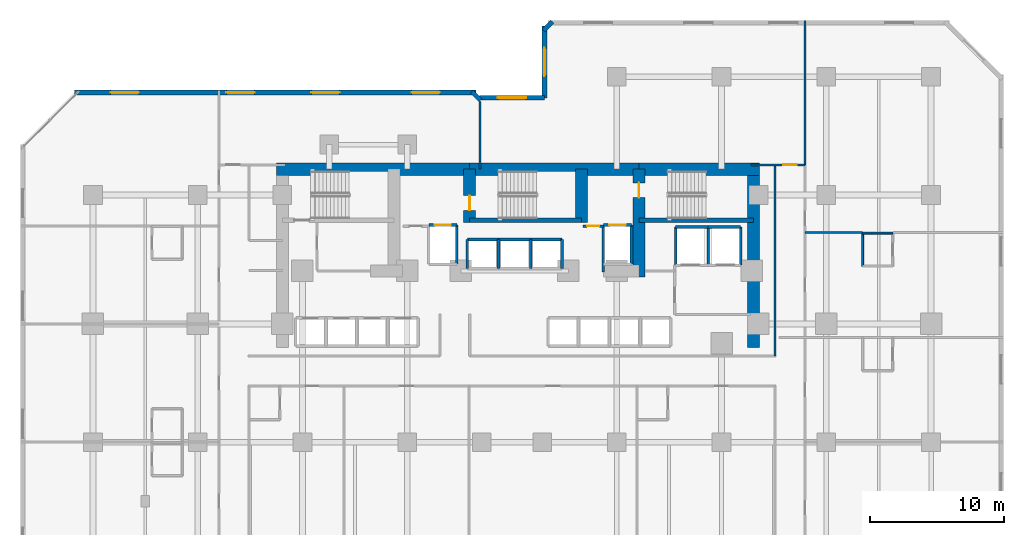
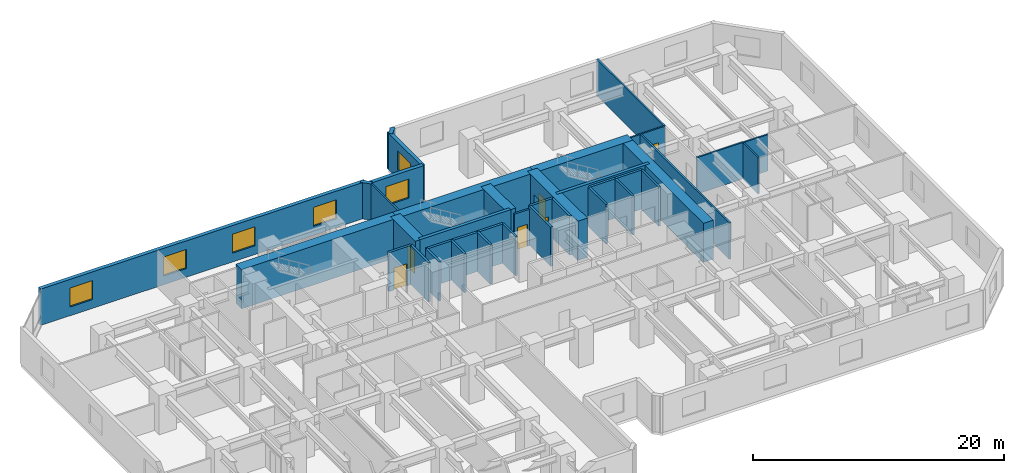
# One storey, part 8 of 11: 39 walls, 6 doors, 6 windows, 12 openings.
"""IFC4 building model written with IfcOpenShell, lengths in metres."""

import ifcopenshell
import ifcopenshell.guid

model = None  # the IFC model being written
_history = None  # IfcOwnerHistory: only IFC2X3 demands one
_inside = {}  # id of a spatial element -> (the spatial element, [elements in it])
_under = {}  # id of a project, library or spatial element -> (it, [spatial elements below it])
_declared = {}  # id of a project -> (the project, [libraries it declares])
_typed = {}  # id of a type object -> (the type object, [elements of that type])
_made_of = {}  # id of a material, layer set ... -> (it, [elements and type objects made of it])


def new_model(schema):
    """Start an empty IFC model of exactly this schema.

    Asked for "IFC4X3", IfcOpenShell would pick the latest addendum, in which some entities
    have other attributes; the version numbers below select the first issue.
    IFC2X3 requires an IfcOwnerHistory on every rooted entity: one is made here for all.
    """
    global model, _history
    if schema == "IFC4X3":
        model = ifcopenshell.file(schema_version=(4, 3, 0, 0))
    else:
        model = ifcopenshell.file(schema=schema)
    _inside.clear()
    _under.clear()
    _declared.clear()
    _typed.clear()
    _made_of.clear()
    _history = None
    if model.schema == "IFC2X3":
        org = make("IfcOrganization", Name="unknown")
        user = make(
            "IfcPersonAndOrganization",
            ThePerson=make("IfcPerson", FamilyName="unknown"),
            TheOrganization=org,
        )
        app = make(
            "IfcApplication",
            ApplicationDeveloper=org,
            Version="unknown",
            ApplicationFullName="unknown",
            ApplicationIdentifier="unknown",
        )
        _history = make(
            "IfcOwnerHistory",
            OwningUser=user,
            OwningApplication=app,
            ChangeAction="ADDED",
            CreationDate=0,
        )
    return model


def make(cls, **values):
    """One entity of the class cls with the attributes given. An attribute that is None is left unset."""
    return model.create_entity(
        cls, **{name: value for name, value in values.items() if value is not None}
    )


def rooted(cls, **values):
    """An entity with a GlobalId (a new one), such as an element, a storey or a relation."""
    return make(cls, GlobalId=ifcopenshell.guid.new(), OwnerHistory=_history, **values)


def si_unit(unit_type, name, prefix=None):
    """IfcSIUnit, for example si_unit("LENGTHUNIT", "METRE", prefix="MILLI")."""
    return make("IfcSIUnit", UnitType=unit_type, Prefix=prefix, Name=name)


def assignment(units):
    """IfcUnitAssignment: the units of a project."""
    return None if units is None else make("IfcUnitAssignment", Units=units)


def point(xyz):
    """IfcCartesianPoint."""
    return None if xyz is None else make("IfcCartesianPoint", Coordinates=xyz)


def direction(xyz):
    """IfcDirection."""
    return None if xyz is None else make("IfcDirection", DirectionRatios=xyz)


def frame(location, z_axis=None, x_axis=None):
    """IfcAxis2Placement3D, a coordinate frame: its origin and axes. An axis left out is left unset."""
    return make(
        "IfcAxis2Placement3D",
        Location=point(location),
        Axis=direction(z_axis),
        RefDirection=direction(x_axis),
    )


def frame_2d(location, x_axis=None):
    """IfcAxis2Placement2D, a coordinate frame in the plane: its origin and x axis."""
    return make(
        "IfcAxis2Placement2D", Location=point(location), RefDirection=direction(x_axis)
    )


def origin():
    """The frame at (0, 0, 0) with its axes left unset."""
    return frame((0.0, 0.0, 0.0))


def place(relative_to, where):
    """IfcLocalPlacement: puts the frame where relative to a parent placement (None: the world)."""
    return make(
        "IfcLocalPlacement", PlacementRelTo=relative_to, RelativePlacement=where
    )


def context(
    kind, dimensions, precision=None, world=None, true_north=None, identifier=None
):
    """IfcGeometricRepresentationContext, for example the 3D "Model" context."""
    return make(
        "IfcGeometricRepresentationContext",
        ContextIdentifier=identifier,
        ContextType=kind,
        CoordinateSpaceDimension=dimensions,
        Precision=precision,
        WorldCoordinateSystem=world,
        TrueNorth=true_north,
    )


def subcontext(parent, identifier, kind, view, scale=None):
    """IfcGeometricRepresentationSubContext, for example "Body" below "Model"."""
    return make(
        "IfcGeometricRepresentationSubContext",
        ContextIdentifier=identifier,
        ContextType=kind,
        ParentContext=parent,
        TargetScale=scale,
        TargetView=view,
    )


def project(units=None, contexts=None):
    """IfcProject with its units and contexts."""
    return rooted(
        "IfcProject",
        Name="project",
        RepresentationContexts=contexts,
        UnitsInContext=assignment(units),
    )


def spatial(cls, under=None, at=None, **own):
    """A site, building, storey or space (cls), placed at a placement, below another one or the project."""
    s = rooted(cls, ObjectPlacement=at, **own)
    if under is not None:
        _under.setdefault(under.id(), (under, []))[1].append(s)
    return s


def profile(cls, at=None, kind="AREA", **sizes):
    """A parametric profile (cls). Its sizes go by their IFC names, for example OverallWidth=200.0."""
    return make(cls, ProfileType=kind, Position=at, **sizes)


def rectangle(**sizes):
    """IfcRectangleProfileDef."""
    return profile("IfcRectangleProfileDef", **sizes)


def extrude(swept, where, along, depth):
    """IfcExtrudedAreaSolid: the profile swept, set in the frame where, extruded along a direction by depth."""
    return make(
        "IfcExtrudedAreaSolid",
        SweptArea=swept,
        Position=where,
        ExtrudedDirection=direction(along),
        Depth=depth,
    )


def shape(context_of_items, identifier, shape_type, items):
    """IfcShapeRepresentation: the items that make up one representation, for example the "Body"."""
    return make(
        "IfcShapeRepresentation",
        ContextOfItems=context_of_items,
        RepresentationIdentifier=identifier,
        RepresentationType=shape_type,
        Items=items,
    )


def material(Name=None, Category=None):
    """IfcMaterial."""
    return make("IfcMaterial", Name=Name, Category=Category)


def layer(
    of_material, thickness, ventilated=None, Name=None, Category=None, Priority=None
):
    """IfcMaterialLayer: one layer of a wall or slab, of a material (None: an air gap)."""
    return make(
        "IfcMaterialLayer",
        Material=of_material,
        LayerThickness=thickness,
        IsVentilated=ventilated,
        Name=Name,
        Category=Category,
        Priority=Priority,
    )


def layer_set(layers, Name=None):
    """IfcMaterialLayerSet."""
    return make("IfcMaterialLayerSet", MaterialLayers=layers, LayerSetName=Name)


def made_of(thing, what):
    """Note that an element or type object is made of a material, layer set ...; save() writes the relation."""
    if what is not None:
        _made_of.setdefault(what.id(), (what, []))[1].append(thing)
    return thing


def type_object(cls, material=None, **own):
    """A type object (cls), such as IfcWallType, which elements share."""
    return made_of(rooted(cls, **own), material)


def element(
    cls,
    number,
    at=None,
    inside=None,
    cuts=None,
    type_object=None,
    material=None,
    context=None,
    identifier="Body",
    shape_type=None,
    held_by="IfcProductDefinitionShape",
    body=None,
    shapes=None,
    **own,
):
    """One element of the class cls, such as IfcWall. Its Tag is "e" and its number.

    at: its placement. inside: the storey or other place that contains it. cuts: it is an
    opening in that element (IfcRelVoidsElement). A single representation is given by context,
    identifier, shape_type and body (its items); several are given by shapes. held_by: the class
    of the entity that holds the representations. save() writes the other relations.
    """
    e = rooted(cls, Tag="e%d" % number, ObjectPlacement=at, **own)
    if body is not None:
        shapes = [shape(context, identifier, shape_type, body)]
    if shapes is not None:
        e.Representation = make(held_by, Representations=shapes)
    if inside is not None:
        _inside.setdefault(inside.id(), (inside, []))[1].append(e)
    if cuts is not None:
        rooted(
            "IfcRelVoidsElement", RelatingBuildingElement=cuts, RelatedOpeningElement=e
        )
    if type_object is not None:
        _typed.setdefault(type_object.id(), (type_object, []))[1].append(e)
    return made_of(e, material)


def fill(opening, filler):
    """IfcRelFillsElement: the door or window that sits in an opening."""
    return rooted(
        "IfcRelFillsElement",
        RelatingOpeningElement=opening,
        RelatedBuildingElement=filler,
    )


def aggregate(whole, parts):
    """IfcRelAggregates: a whole, such as a stair, and the parts it consists of."""
    return rooted("IfcRelAggregates", RelatingObject=whole, RelatedObjects=parts)


def save(model, path):
    """Write the relations noted so far, then the file.

    IfcRelAggregates (storeys below a building ...), IfcRelContainedInSpatialStructure (elements
    in a storey), IfcRelDefinesByType, IfcRelAssociatesMaterial and IfcRelDeclares: one each for
    every whole, place, type object, material and project.
    """
    for whole, parts in _under.values():
        aggregate(whole, parts)
    for where, things in _inside.values():
        rooted(
            "IfcRelContainedInSpatialStructure",
            RelatedElements=things,
            RelatingStructure=where,
        )
    for kind, things in _typed.values():
        rooted("IfcRelDefinesByType", RelatedObjects=things, RelatingType=kind)
    for what, things in _made_of.values():
        rooted("IfcRelAssociatesMaterial", RelatedObjects=things, RelatingMaterial=what)
    for by, libraries in _declared.values():
        rooted("IfcRelDeclares", RelatingContext=by, RelatedDefinitions=libraries)
    model.write(path)


model = new_model("IFC4")

# Units and contexts
model_context = context("Model", 3, precision=1e-05, world=origin(), true_north=direction((0.0, 1.0)))
body_context = subcontext(model_context, "Body", "Model", "MODEL_VIEW")
ifc_project = project(units=[si_unit("LENGTHUNIT", "METRE"), si_unit("AREAUNIT", "SQUARE_METRE"), si_unit("VOLUMEUNIT", "CUBIC_METRE"), si_unit("PLANEANGLEUNIT", "RADIAN"), si_unit("MASSUNIT", "GRAM", prefix="KILO")], contexts=[model_context])

# Site, building, storey
site_placement = place(None, origin())
site = spatial("IfcSite", under=ifc_project, at=site_placement, CompositionType="ELEMENT")
building_placement = place(site_placement, origin())
building = spatial("IfcBuilding", under=site, at=building_placement, Name="Kestravale Grand Hotel", CompositionType="ELEMENT")
storey_placement = place(building_placement, frame((0.0, 0.0, 29.800048828125)))
storey = spatial("IfcBuildingStorey", under=building, at=storey_placement, Name="L06", CompositionType="ELEMENT", Elevation=29.800048828125)

# Walls
ifc_material_1 = material(Name="Concrete f'c 70 MPa", Category="concrete")
ifc_layer_1 = layer(ifc_material_1, 0.89990234375)
ifc_layer_set_1 = layer_set([ifc_layer_1], Name="EW-CORE-900")
wall_type_1 = type_object("IfcWallType", Name="EW-CORE-900", PredefinedType="SHEAR", material=ifc_layer_set_1)
wall_1_placement = place(storey_placement, frame((21.449951171875, 40.320068359375, 0.0), z_axis=(0.0, 0.0, 1.0), x_axis=(1.0, 0.0, 0.0)))
element("IfcWall", 1, at=wall_1_placement, inside=storey, type_object=wall_type_1, Name="L06 core shear wall N1", PredefinedType="SHEAR", context=body_context, shape_type="SweptSolid", body=[
    extrude(rectangle(XDim=14.400146484375, YDim=0.89990234375, at=frame_2d((7.2001953125, 0.0))), origin(), (0.0, 0.0, 1.0), 3.800048828125),
])
wall_2_placement = place(storey_placement, frame((35.85009765625, 40.320068359375, 0.0), z_axis=(0.0, 0.0, 1.0), x_axis=(1.0, 0.0, 0.0)))
element("IfcWall", 2, at=wall_2_placement, inside=storey, type_object=wall_type_1, Name="L06 core shear wall N2", PredefinedType="SHEAR", context=body_context, shape_type="SweptSolid", body=[
    extrude(rectangle(XDim=12.599853515625, YDim=0.89990234375, at=frame_2d((6.2998046875, 0.0))), origin(), (0.0, 0.0, 1.0), 3.800048828125),
])
wall_3_placement = place(storey_placement, frame((48.449951171875, 40.320068359375, 0.0), z_axis=(0.0, 0.0, 1.0), x_axis=(1.0, 0.0, 0.0)))
element("IfcWall", 3, at=wall_3_placement, inside=storey, type_object=wall_type_1, Name="L06 core shear wall N3", PredefinedType="SHEAR", context=body_context, shape_type="SweptSolid", body=[
    extrude(rectangle(XDim=8.969970703125, YDim=0.89990234375, at=frame_2d((4.48486328125, 0.0))), origin(), (0.0, 0.0, 1.0), 3.800048828125),
])
wall_4_placement = place(storey_placement, frame((56.969970703125, 27.050048828125, 0.0), z_axis=(0.0, 0.0, 1.0), x_axis=(0.0, 1.0, 0.0)))
element("IfcWall", 4, at=wall_4_placement, inside=storey, type_object=wall_type_1, Name="L06 core shear wall E1", PredefinedType="SHEAR", context=body_context, shape_type="SweptSolid", body=[
    extrude(rectangle(XDim=13.719970703125, YDim=0.89990234375, at=frame_2d((6.85986328125, 0.0))), origin(), (0.0, 0.0, 1.0), 3.800048828125),
])

# Wall, opening, door
wall_5_placement = place(storey_placement, frame((35.85009765625, 36.3701171875, 0.0), z_axis=(0.0, 0.0, 1.0), x_axis=(0.0, 1.0, 0.0)))
wall_5 = element("IfcWall", 5, at=wall_5_placement, inside=storey, type_object=wall_type_1, Name="L06 core shear wall X2", PredefinedType="SHEAR", context=body_context, shape_type="SweptSolid", body=[
    extrude(rectangle(XDim=3.949951171875, YDim=0.89990234375, at=frame_2d((1.97509765625, 0.0))), origin(), (0.0, 0.0, 1.0), 3.800048828125),
])
opening_1_placement = place(wall_5_placement, frame((0.8798828125, 0.0, 0.0)))
opening_1 = element("IfcOpeningElement", 6, at=opening_1_placement, cuts=wall_5, Name="Opening D-ST-1100", PredefinedType="OPENING", context=body_context, shape_type="SweptSolid", body=[
    extrude(rectangle(XDim=1.10009765625, YDim=2.14990234375, at=frame_2d((0.550048828125, 1.074951171875))), frame((0.0, 0.4599609375, 0.0), z_axis=(0.0, -1.0, 0.0), x_axis=(1.0, 0.0, 0.0)), (0.0, 0.0, 1.0), 0.919921875),
])
ifc_material_2 = material(Name="Galvanised 90-minute fire-rated steel stair door", Category="steel")
door_type_1 = type_object("IfcDoorType", Name="D-ST-1100", OperationType="NOTDEFINED", PredefinedType="DOOR", material=ifc_material_2)
door_1_placement = place(opening_1_placement, origin())
door_1 = element("IfcDoor", 7, at=door_1_placement, inside=storey, type_object=door_type_1, Name="L06 Stair ST-2 FSAE fire door", OperationType="SINGLE_SWING_RIGHT", OverallHeight=2.14990234375, OverallWidth=1.10009765625, PredefinedType="DOOR", context=body_context, shape_type="SweptSolid", body=[
    extrude(rectangle(XDim=1.10009765625, YDim=2.14990234375, at=frame_2d((0.550048828125, 1.074951171875))), frame((0.0, 0.02490234375, 0.0), z_axis=(0.0, -1.0, 0.0), x_axis=(1.0, 0.0, 0.0)), (0.0, 0.0, 1.0), 0.050048828125),
])
fill(opening_1, door_1)

# Wall
wall_6_placement = place(storey_placement, frame((44.179931640625, 36.3701171875, 0.0), z_axis=(0.0, 0.0, 1.0), x_axis=(0.0, 1.0, 0.0)))
element("IfcWall", 8, at=wall_6_placement, inside=storey, type_object=wall_type_1, Name="L06 core shear wall X3", PredefinedType="SHEAR", context=body_context, shape_type="SweptSolid", body=[
    extrude(rectangle(XDim=3.949951171875, YDim=0.89990234375, at=frame_2d((1.97509765625, 0.0))), origin(), (0.0, 0.0, 1.0), 3.800048828125),
])

# Wall, opening, door
wall_7_placement = place(storey_placement, frame((48.449951171875, 32.300048828125, 0.0), z_axis=(0.0, 0.0, 1.0), x_axis=(0.0, 1.0, 0.0)))
wall_7 = element("IfcWall", 9, at=wall_7_placement, inside=storey, type_object=wall_type_1, Name="L06 core shear wall X4", PredefinedType="SHEAR", context=body_context, shape_type="SweptSolid", body=[
    extrude(rectangle(XDim=8.02001953125, YDim=0.89990234375, at=frame_2d((4.010009765625, 0.0))), origin(), (0.0, 0.0, 1.0), 3.800048828125),
])
opening_2_placement = place(wall_7_placement, frame((5.89990234375, 0.0, 0.0)))
opening_2 = element("IfcOpeningElement", 10, at=opening_2_placement, cuts=wall_7, Name="Opening D-ST-1100", PredefinedType="OPENING", context=body_context, shape_type="SweptSolid", body=[
    extrude(rectangle(XDim=1.10009765625, YDim=2.14990234375, at=frame_2d((0.550048828125, 1.074951171875))), frame((0.0, 0.4599609375, 0.0), z_axis=(0.0, -1.0, 0.0), x_axis=(1.0, 0.0, 0.0)), (0.0, 0.0, 1.0), 0.919921875),
])
door_2_placement = place(opening_2_placement, origin())
door_2 = element("IfcDoor", 11, at=door_2_placement, inside=storey, type_object=door_type_1, Name="L06 Stair ST-3 FSAE fire door", OperationType="SINGLE_SWING_RIGHT", OverallHeight=2.14990234375, OverallWidth=1.10009765625, PredefinedType="DOOR", context=body_context, shape_type="SweptSolid", body=[
    extrude(rectangle(XDim=1.10009765625, YDim=2.14990234375, at=frame_2d((0.550048828125, 1.074951171875))), frame((0.0, 0.02490234375, 0.0), z_axis=(0.0, -1.0, 0.0), x_axis=(1.0, 0.0, 0.0)), (0.0, 0.0, 1.0), 0.050048828125),
])
fill(opening_2, door_2)

# Wall
ifc_material_3 = material(Name="Precast concrete f'c 45 MPa", Category="concrete")
ifc_layer_2 = layer(ifc_material_3, 0.340087890625)
ifc_layer_set_2 = layer_set([ifc_layer_2], Name="EW-PREC-340")
wall_type_2 = type_object("IfcWallType", Name="EW-PREC-340", PredefinedType="SOLIDWALL", material=ifc_layer_set_2)
wall_8_placement = place(storey_placement, frame((41.99853515625, 51.30810546875, 0.0), z_axis=(0.0, 0.0, 1.0), x_axis=(-0.707238225886, -0.706975312048, 0.0)))
element("IfcWall", 12, at=wall_8_placement, inside=storey, type_object=wall_type_2, Name="L06 fluted precast facade wall 12", PredefinedType="SOLIDWALL", context=body_context, shape_type="SweptSolid", body=[
    extrude(rectangle(XDim=0.9287109375, YDim=0.340087890625, at=frame_2d((0.46435546875, 0.0))), origin(), (0.0, 0.0, 1.0), 3.5400390625),
])

# Wall, opening, window
wall_9_placement = place(storey_placement, frame((41.419921875, 50.969970703125, 0.0), z_axis=(0.0, 0.0, 1.0), x_axis=(0.0, -1.0, 0.0)))
wall_9 = element("IfcWall", 13, at=wall_9_placement, inside=storey, type_object=wall_type_2, Name="L06 fluted precast facade wall 13", PredefinedType="SOLIDWALL", context=body_context, shape_type="SweptSolid", body=[
    extrude(rectangle(XDim=5.340087890625, YDim=0.340087890625, at=frame_2d((2.669921875, 0.0))), origin(), (0.0, 0.0, 1.0), 3.5400390625),
])
opening_3_placement = place(wall_9_placement, frame((1.6201171875, 0.0, 0.85009765625)))
opening_3 = element("IfcOpeningElement", 14, at=opening_3_placement, cuts=wall_9, Name="Opening W-GUEST-2100", PredefinedType="OPENING", context=body_context, shape_type="SweptSolid", body=[
    extrude(rectangle(XDim=2.10009765625, YDim=1.85009765625, at=frame_2d((1.050048828125, 0.925048828125))), frame((0.0, 0.179931640625, 0.0), z_axis=(0.0, -1.0, 0.0), x_axis=(1.0, 0.0, 0.0)), (0.0, 0.0, 1.0), 0.360107421875),
])
ifc_material_4 = material(Name="Insulated low-E double glazing in aluminium frame", Category="aluminium")
window_type = type_object("IfcWindowType", Name="W-GUEST-2100", PartitioningType="DOUBLE_PANEL_VERTICAL", PredefinedType="WINDOW", material=ifc_material_4)
window_1_placement = place(opening_3_placement, origin())
window_1 = element("IfcWindow", 15, at=window_1_placement, inside=storey, type_object=window_type, Name="L06 exterior window 13.1", OverallHeight=1.85009765625, OverallWidth=2.10009765625, PartitioningType="SINGLE_PANEL", PredefinedType="WINDOW", context=body_context, shape_type="SweptSolid", body=[
    extrude(rectangle(XDim=2.10009765625, YDim=1.85009765625, at=frame_2d((1.050048828125, 0.925048828125))), frame((0.0, 0.030029296875, 0.0), z_axis=(0.0, -1.0, 0.0), x_axis=(1.0, 0.0, 0.0)), (0.0, 0.0, 1.0), 0.06005859375),
])
fill(opening_3, window_1)

wall_10_placement = place(storey_placement, frame((41.419921875, 45.6298828125, 0.0), z_axis=(0.0, 0.0, 1.0), x_axis=(-1.0, 0.0, 0.0)))
wall_10 = element("IfcWall", 16, at=wall_10_placement, inside=storey, type_object=wall_type_2, Name="L06 fluted precast facade wall 14", PredefinedType="SOLIDWALL", context=body_context, shape_type="SweptSolid", body=[
    extrude(rectangle(XDim=4.83984375, YDim=0.340087890625, at=frame_2d((2.419921875, 0.0))), origin(), (0.0, 0.0, 1.0), 3.5400390625),
])
opening_4_placement = place(wall_10_placement, frame((1.3701171875, 0.0, 0.85009765625)))
opening_4 = element("IfcOpeningElement", 17, at=opening_4_placement, cuts=wall_10, Name="Opening W-GUEST-2100", PredefinedType="OPENING", context=body_context, shape_type="SweptSolid", body=[
    extrude(rectangle(XDim=2.10009765625, YDim=1.85009765625, at=frame_2d((1.050048828125, 0.925048828125))), frame((0.0, 0.179931640625, 0.0), z_axis=(0.0, -1.0, 0.0), x_axis=(1.0, 0.0, 0.0)), (0.0, 0.0, 1.0), 0.360107421875),
])
window_2_placement = place(opening_4_placement, origin())
window_2 = element("IfcWindow", 18, at=window_2_placement, inside=storey, type_object=window_type, Name="L06 exterior window 14.1", OverallHeight=1.85009765625, OverallWidth=2.10009765625, PartitioningType="SINGLE_PANEL", PredefinedType="WINDOW", context=body_context, shape_type="SweptSolid", body=[
    extrude(rectangle(XDim=2.10009765625, YDim=1.85009765625, at=frame_2d((1.050048828125, 0.925048828125))), frame((0.0, 0.030029296875, 0.0), z_axis=(0.0, -1.0, 0.0), x_axis=(1.0, 0.0, 0.0)), (0.0, 0.0, 1.0), 0.06005859375),
])
fill(opening_4, window_2)

# Wall
wall_11_placement = place(storey_placement, frame((36.658203125, 45.451416015625, 0.0), z_axis=(0.0, 0.0, 1.0), x_axis=(-0.707106781187, 0.707106781187, 0.0)))
element("IfcWall", 19, at=wall_11_placement, inside=storey, type_object=wall_type_2, Name="L06 fluted precast facade wall 16", PredefinedType="SOLIDWALL", context=body_context, shape_type="SweptSolid", body=[
    extrude(rectangle(XDim=0.9287109375, YDim=0.340087890625, at=frame_2d((0.46435546875, 0.0))), origin(), (0.0, 0.0, 1.0), 3.5400390625),
])

# Wall, openings, windows
wall_12_placement = place(storey_placement, frame((36.320068359375, 46.030029296875, 0.0), z_axis=(0.0, 0.0, 1.0), x_axis=(-1.0, 0.0, 0.0)))
wall_12 = element("IfcWall", 20, at=wall_12_placement, inside=storey, type_object=wall_type_2, Name="L06 fluted precast facade wall 17", PredefinedType="SOLIDWALL", context=body_context, shape_type="SweptSolid", body=[
    extrude(rectangle(XDim=29.89013671875, YDim=0.340087890625, at=frame_2d((14.945068359375, 0.0))), origin(), (0.0, 0.0, 1.0), 3.5400390625),
])
opening_5_placement = place(wall_12_placement, frame((2.686279296875, 0.0, 0.85009765625)))
opening_5 = element("IfcOpeningElement", 21, at=opening_5_placement, cuts=wall_12, Name="Opening W-GUEST-2100", PredefinedType="OPENING", context=body_context, shape_type="SweptSolid", body=[
    extrude(rectangle(XDim=2.10009765625, YDim=1.85009765625, at=frame_2d((1.050048828125, 0.925048828125))), frame((0.0, 0.179931640625, 0.0), z_axis=(0.0, -1.0, 0.0), x_axis=(1.0, 0.0, 0.0)), (0.0, 0.0, 1.0), 0.360107421875),
])
opening_6_placement = place(wall_12_placement, frame((10.15869140625, 0.0, 0.85009765625)))
opening_6 = element("IfcOpeningElement", 22, at=opening_6_placement, cuts=wall_12, Name="Opening W-GUEST-2100", PredefinedType="OPENING", context=body_context, shape_type="SweptSolid", body=[
    extrude(rectangle(XDim=2.10009765625, YDim=1.85009765625, at=frame_2d((1.050048828125, 0.925048828125))), frame((0.0, 0.179931640625, 0.0), z_axis=(0.0, -1.0, 0.0), x_axis=(1.0, 0.0, 0.0)), (0.0, 0.0, 1.0), 0.360107421875),
])
opening_7_placement = place(wall_12_placement, frame((16.481201171875, 0.0, 0.85009765625)))
opening_7 = element("IfcOpeningElement", 23, at=opening_7_placement, cuts=wall_12, Name="Opening W-GUEST-2100", PredefinedType="OPENING", context=body_context, shape_type="SweptSolid", body=[
    extrude(rectangle(XDim=2.10009765625, YDim=1.85009765625, at=frame_2d((1.050048828125, 0.925048828125))), frame((0.0, 0.179931640625, 0.0), z_axis=(0.0, -1.0, 0.0), x_axis=(1.0, 0.0, 0.0)), (0.0, 0.0, 1.0), 0.360107421875),
])
opening_8_placement = place(wall_12_placement, frame((25.103759765625, 0.0, 0.85009765625)))
opening_8 = element("IfcOpeningElement", 24, at=opening_8_placement, cuts=wall_12, Name="Opening W-GUEST-2100", PredefinedType="OPENING", context=body_context, shape_type="SweptSolid", body=[
    extrude(rectangle(XDim=2.10009765625, YDim=1.85009765625, at=frame_2d((1.050048828125, 0.925048828125))), frame((0.0, 0.179931640625, 0.0), z_axis=(0.0, -1.0, 0.0), x_axis=(1.0, 0.0, 0.0)), (0.0, 0.0, 1.0), 0.360107421875),
])
window_3_placement = place(opening_5_placement, origin())
window_3 = element("IfcWindow", 25, at=window_3_placement, inside=storey, type_object=window_type, Name="L06 exterior window 17.1", OverallHeight=1.85009765625, OverallWidth=2.10009765625, PartitioningType="SINGLE_PANEL", PredefinedType="WINDOW", context=body_context, shape_type="SweptSolid", body=[
    extrude(rectangle(XDim=2.10009765625, YDim=1.85009765625, at=frame_2d((1.050048828125, 0.925048828125))), frame((0.0, 0.030029296875, 0.0), z_axis=(0.0, -1.0, 0.0), x_axis=(1.0, 0.0, 0.0)), (0.0, 0.0, 1.0), 0.06005859375),
])
fill(opening_5, window_3)
window_4_placement = place(opening_6_placement, origin())
window_4 = element("IfcWindow", 26, at=window_4_placement, inside=storey, type_object=window_type, Name="L06 exterior window 17.2", OverallHeight=1.85009765625, OverallWidth=2.10009765625, PartitioningType="SINGLE_PANEL", PredefinedType="WINDOW", context=body_context, shape_type="SweptSolid", body=[
    extrude(rectangle(XDim=2.10009765625, YDim=1.85009765625, at=frame_2d((1.050048828125, 0.925048828125))), frame((0.0, 0.030029296875, 0.0), z_axis=(0.0, -1.0, 0.0), x_axis=(1.0, 0.0, 0.0)), (0.0, 0.0, 1.0), 0.06005859375),
])
fill(opening_6, window_4)
window_5_placement = place(opening_7_placement, origin())
window_5 = element("IfcWindow", 27, at=window_5_placement, inside=storey, type_object=window_type, Name="L06 exterior window 17.3", OverallHeight=1.85009765625, OverallWidth=2.10009765625, PartitioningType="SINGLE_PANEL", PredefinedType="WINDOW", context=body_context, shape_type="SweptSolid", body=[
    extrude(rectangle(XDim=2.10009765625, YDim=1.85009765625, at=frame_2d((1.050048828125, 0.925048828125))), frame((0.0, 0.030029296875, 0.0), z_axis=(0.0, -1.0, 0.0), x_axis=(1.0, 0.0, 0.0)), (0.0, 0.0, 1.0), 0.06005859375),
])
fill(opening_7, window_5)
window_6_placement = place(opening_8_placement, origin())
window_6 = element("IfcWindow", 28, at=window_6_placement, inside=storey, type_object=window_type, Name="L06 exterior window 17.4", OverallHeight=1.85009765625, OverallWidth=2.10009765625, PartitioningType="SINGLE_PANEL", PredefinedType="WINDOW", context=body_context, shape_type="SweptSolid", body=[
    extrude(rectangle(XDim=2.10009765625, YDim=1.85009765625, at=frame_2d((1.050048828125, 0.925048828125))), frame((0.0, 0.030029296875, 0.0), z_axis=(0.0, -1.0, 0.0), x_axis=(1.0, 0.0, 0.0)), (0.0, 0.0, 1.0), 0.06005859375),
])
fill(opening_8, window_6)

# Walls
ifc_material_5 = material(Name="Concrete f'c 45 MPa", Category="concrete")
ifc_layer_3 = layer(ifc_material_5, 0.300048828125)
ifc_layer_set_3 = layer_set([ifc_layer_3], Name="EW-STAIR-300")
wall_type_3 = type_object("IfcWallType", Name="EW-STAIR-300", PredefinedType="SHEAR", material=ifc_layer_set_3)
wall_13_placement = place(storey_placement, frame((35.85009765625, 36.52001953125, 0.0), z_axis=(0.0, 0.0, 1.0), x_axis=(1.0, 0.0, 0.0)))
element("IfcWall", 29, at=wall_13_placement, inside=storey, type_object=wall_type_3, Name="L06 stair enclosure shear wall SST2", PredefinedType="SHEAR", context=body_context, shape_type="SweptSolid", body=[
    extrude(rectangle(XDim=8.329833984375, YDim=0.300048828125, at=frame_2d((4.1650390625, 0.0))), origin(), (0.0, 0.0, 1.0), 3.800048828125),
])
wall_14_placement = place(storey_placement, frame((48.449951171875, 36.52001953125, 0.0), z_axis=(0.0, 0.0, 1.0), x_axis=(1.0, 0.0, 0.0)))
element("IfcWall", 30, at=wall_14_placement, inside=storey, type_object=wall_type_3, Name="L06 stair enclosure shear wall SST3", PredefinedType="SHEAR", context=body_context, shape_type="SweptSolid", body=[
    extrude(rectangle(XDim=8.52001953125, YDim=0.300048828125, at=frame_2d((4.260009765625, 0.0))), origin(), (0.0, 0.0, 1.0), 3.800048828125),
])
ifc_material_6 = material(Name="Acoustic fire-rated gypsum board partition", Category="other")
ifc_layer_4 = layer(ifc_material_6, 0.159912109375)
ifc_layer_set_4 = layer_set([ifc_layer_4], Name="IW-CORR-160")
wall_type_4 = type_object("IfcWallType", Name="IW-CORR-160", PredefinedType="PARTITIONING", material=ifc_layer_set_4)
wall_15_placement = place(storey_placement, frame((58.590087890625, 26.409912109375, 0.0), z_axis=(0.0, 0.0, 1.0), x_axis=(0.0, 1.0, 0.0)))
element("IfcWall", 31, at=wall_15_placement, inside=storey, type_object=wall_type_4, Name="W-L06-SE-WU", PredefinedType="PARTITIONING", context=body_context, shape_type="SweptSolid", body=[
    extrude(rectangle(XDim=14.239990234375, YDim=0.159912109375, at=frame_2d((7.1201171875, 0.0))), origin(), (0.0, 0.0, 1.0), 3.5400390625),
])

# Wall, opening, door
ifc_material_7 = material(Name="Fire-rated gypsum board on steel studs with mineral wool", Category="steel")
ifc_layer_5 = layer(ifc_material_7, 0.179931640625)
ifc_layer_set_5 = layer_set([ifc_layer_5], Name="IW-FSAE-180")
wall_type_5 = type_object("IfcWallType", Name="IW-FSAE-180", PredefinedType="PARTITIONING", material=ifc_layer_set_5)
wall_16_placement = place(storey_placement, frame((44.300048828125, 36.080078125, 0.0), z_axis=(0.0, 0.0, 1.0), x_axis=(1.0, 0.0, 0.0)))
wall_16 = element("IfcWall", 32, at=wall_16_placement, inside=storey, type_object=wall_type_5, Name="L06 FSAE Lobby 2 smoke barrier", PredefinedType="PARTITIONING", context=body_context, shape_type="SweptSolid", body=[
    extrude(rectangle(XDim=1.5, YDim=0.179931640625, at=frame_2d((0.75, 0.0))), origin(), (0.0, 0.0, 1.0), 3.5400390625),
])
opening_9_placement = place(wall_16_placement, frame((0.300048828125, 0.0, 0.0)))
opening_9 = element("IfcOpeningElement", 33, at=opening_9_placement, cuts=wall_16, Name="Opening D-FSAE-1000", PredefinedType="OPENING", context=body_context, shape_type="SweptSolid", body=[
    extrude(rectangle(XDim=0.89990234375, YDim=2.14990234375, at=frame_2d((0.449951171875, 1.074951171875))), frame((0.0, 0.099853515625, 0.0), z_axis=(0.0, -1.0, 0.0), x_axis=(1.0, 0.0, 0.0)), (0.0, 0.0, 1.0), 0.199951171875),
])
ifc_material_8 = material(Name="Smoke-gasketed FSAE lobby fire door", Category="steel")
door_type_2 = type_object("IfcDoorType", Name="D-FSAE-1000", OperationType="NOTDEFINED", PredefinedType="DOOR", material=ifc_material_8)
door_3_placement = place(opening_9_placement, origin())
door_3 = element("IfcDoor", 34, at=door_3_placement, inside=storey, type_object=door_type_2, Name="L06 FSAE Lobby 2 fire door", OperationType="SINGLE_SWING_LEFT", OverallHeight=2.14990234375, OverallWidth=0.89990234375, PredefinedType="DOOR", context=body_context, shape_type="SweptSolid", body=[
    extrude(rectangle(XDim=0.89990234375, YDim=2.14990234375, at=frame_2d((0.449951171875, 1.074951171875))), frame((0.0, 0.02490234375, 0.0), z_axis=(0.0, -1.0, 0.0), x_axis=(1.0, 0.0, 0.0)), (0.0, 0.0, 1.0), 0.050048828125),
])
fill(opening_9, door_3)

# Walls
ifc_material_9 = material(Name="Moisture-resistant tile-backer plumbing chase wall", Category="other")
ifc_layer_6 = layer(ifc_material_9, 0.139892578125)
ifc_layer_set_6 = layer_set([ifc_layer_6], Name="IW-PLB-140")
wall_type_6 = type_object("IfcWallType", Name="IW-PLB-140", PredefinedType="PLUMBINGWALL", material=ifc_layer_set_6)
wall_17_placement = place(storey_placement, frame((65.10009765625, 33.110107421875, 0.0), z_axis=(0.0, 0.0, 1.0), x_axis=(0.0, 1.0, 0.0)))
element("IfcWall", 35, at=wall_17_placement, inside=storey, type_object=wall_type_6, Name="W-L06-U09-BW", PredefinedType="PLUMBINGWALL", context=body_context, shape_type="SweptSolid", body=[
    extrude(rectangle(XDim=2.449951171875, YDim=0.139892578125, at=frame_2d((1.22509765625, 0.0))), origin(), (0.0, 0.0, 1.0), 3.5400390625),
])
wall_18_placement = place(storey_placement, frame((65.10009765625, 35.56005859375, 0.0), z_axis=(0.0, 0.0, 1.0), x_axis=(1.0, 0.0, 0.0)))
element("IfcWall", 36, at=wall_18_placement, inside=storey, type_object=wall_type_6, Name="W-L06-U09-BN", PredefinedType="PLUMBINGWALL", context=body_context, shape_type="SweptSolid", body=[
    extrude(rectangle(XDim=2.25, YDim=0.139892578125, at=frame_2d((1.125, 0.0))), origin(), (0.0, 0.0, 1.0), 3.5400390625),
])
ifc_material_10 = material(Name="Concrete f'c 45 MPa", Category="concrete")
ifc_layer_7 = layer(ifc_material_10, 0.199951171875)
ifc_layer_set_7 = layer_set([ifc_layer_7], Name="IW-SHAFT-200")
wall_type_7 = type_object("IfcWallType", Name="IW-SHAFT-200", PredefinedType="SHEAR", material=ifc_layer_set_7)
for number, where, z_axis, x_axis, name in (
    (37, (35.679931640625, 32.919921875, 0.0), (0.0, 0.0, 1.0), (0.0, 1.0, 0.0), "L06 PL-X1 west shaft wall"),
    (38, (38.0, 32.919921875, 0.0), (0.0, 0.0, 1.0), (0.0, 1.0, 0.0), "L06 PL-X2 west shaft wall"),
    (39, (40.39990234375, 32.919921875, 0.0), (0.0, 0.0, 1.0), (0.0, 1.0, 0.0), "L06 PL-X3 west shaft wall"),
    (40, (42.719970703125, 32.919921875, 0.0), (0.0, 0.0, 1.0), (0.0, 1.0, 0.0), "L06 PL-X3 east shaft wall"),
):
    element("IfcWall", number, at=place(storey_placement, frame(where, z_axis=z_axis, x_axis=x_axis)), inside=storey, type_object=wall_type_7, Name=name, PredefinedType="SHEAR", context=body_context, shape_type="SweptSolid", body=[
        extrude(rectangle(XDim=2.16015625, YDim=0.199951171875, at=frame_2d((1.080078125, 0.0))), origin(), (0.0, 0.0, 1.0), 3.800048828125),
    ])
for number, where, z_axis, x_axis, name in (
    (41, (51.179931640625, 33.169921875, 0.0), (0.0, 0.0, 1.0), (0.0, 1.0, 0.0), "L06 SL-1 west shaft wall"),
    (42, (53.60009765625, 33.169921875, 0.0), (0.0, 0.0, 1.0), (0.0, 1.0, 0.0), "L06 SL-2 west shaft wall"),
    (43, (56.02001953125, 33.169921875, 0.0), (0.0, 0.0, 1.0), (0.0, 1.0, 0.0), "L06 SL-2 east shaft wall"),
):
    element("IfcWall", number, at=place(storey_placement, frame(where, z_axis=z_axis, x_axis=x_axis)), inside=storey, type_object=wall_type_7, Name=name, PredefinedType="SHEAR", context=body_context, shape_type="SweptSolid", body=[
        extrude(rectangle(XDim=2.860107421875, YDim=0.199951171875, at=frame_2d((1.43017578125, 0.0))), origin(), (0.0, 0.0, 1.0), 3.800048828125),
    ])
wall_19_placement = place(storey_placement, frame((34.89501953125, 33.2451171875, 0.0), z_axis=(0.0, 0.0, 1.0), x_axis=(0.0, 1.0, 0.0)))
element("IfcWall", 44, at=wall_19_placement, inside=storey, type_object=wall_type_7, Name="L06 FL-1 east shaft wall", PredefinedType="SHEAR", context=body_context, shape_type="SweptSolid", body=[
    extrude(rectangle(XDim=2.909912109375, YDim=0.199951171875, at=frame_2d((1.455078125, 0.0))), origin(), (0.0, 0.0, 1.0), 3.800048828125),
])
wall_20_placement = place(storey_placement, frame((45.804931640625, 32.64990234375, 0.0), z_axis=(0.0, 0.0, 1.0), x_axis=(0.0, 1.0, 0.0)))
element("IfcWall", 45, at=wall_20_placement, inside=storey, type_object=wall_type_7, Name="L06 FL-2 west shaft wall", PredefinedType="SHEAR", context=body_context, shape_type="SweptSolid", body=[
    extrude(rectangle(XDim=3.505126953125, YDim=0.199951171875, at=frame_2d((1.75244140625, 0.0))), origin(), (0.0, 0.0, 1.0), 3.800048828125),
])
wall_21_placement = place(storey_placement, frame((47.89501953125, 33.2451171875, 0.0), z_axis=(0.0, 0.0, 1.0), x_axis=(0.0, 1.0, 0.0)))
element("IfcWall", 46, at=wall_21_placement, inside=storey, type_object=wall_type_7, Name="L06 FL-2 east shaft wall", PredefinedType="SHEAR", context=body_context, shape_type="SweptSolid", body=[
    extrude(rectangle(XDim=2.909912109375, YDim=0.199951171875, at=frame_2d((1.455078125, 0.0))), origin(), (0.0, 0.0, 1.0), 3.800048828125),
])
ifc_material_11 = material(Name="Concrete f'c 45 MPa", Category="concrete")
ifc_layer_8 = layer(ifc_material_11, 0.219970703125)
ifc_layer_set_8 = layer_set([ifc_layer_8], Name="IW-SHAFT-220")
wall_type_8 = type_object("IfcWallType", Name="IW-SHAFT-220", PredefinedType="SHEAR", material=ifc_layer_set_8)
wall_22_placement = place(storey_placement, frame((35.679931640625, 35.080078125, 0.0), z_axis=(0.0, 0.0, 1.0), x_axis=(1.0, 0.0, 0.0)))
element("IfcWall", 47, at=wall_22_placement, inside=storey, type_object=wall_type_8, Name="L06 PL-X1 north shaft wall", PredefinedType="SHEAR", context=body_context, shape_type="SweptSolid", body=[
    extrude(rectangle(XDim=2.320068359375, YDim=0.219970703125, at=frame_2d((1.16015625, 0.0))), origin(), (0.0, 0.0, 1.0), 3.800048828125),
])
wall_23_placement = place(storey_placement, frame((38.0, 35.080078125, 0.0), z_axis=(0.0, 0.0, 1.0), x_axis=(1.0, 0.0, 0.0)))
element("IfcWall", 48, at=wall_23_placement, inside=storey, type_object=wall_type_8, Name="L06 PL-X2 north shaft wall", PredefinedType="SHEAR", context=body_context, shape_type="SweptSolid", body=[
    extrude(rectangle(XDim=2.39990234375, YDim=0.219970703125, at=frame_2d((1.199951171875, 0.0))), origin(), (0.0, 0.0, 1.0), 3.800048828125),
])
wall_24_placement = place(storey_placement, frame((40.39990234375, 35.080078125, 0.0), z_axis=(0.0, 0.0, 1.0), x_axis=(1.0, 0.0, 0.0)))
element("IfcWall", 49, at=wall_24_placement, inside=storey, type_object=wall_type_8, Name="L06 PL-X3 north shaft wall", PredefinedType="SHEAR", context=body_context, shape_type="SweptSolid", body=[
    extrude(rectangle(XDim=2.320068359375, YDim=0.219970703125, at=frame_2d((1.16015625, 0.0))), origin(), (0.0, 0.0, 1.0), 3.800048828125),
])
wall_25_placement = place(storey_placement, frame((51.179931640625, 36.030029296875, 0.0), z_axis=(0.0, 0.0, 1.0), x_axis=(1.0, 0.0, 0.0)))
element("IfcWall", 50, at=wall_25_placement, inside=storey, type_object=wall_type_8, Name="L06 SL-1 north shaft wall", PredefinedType="SHEAR", context=body_context, shape_type="SweptSolid", body=[
    extrude(rectangle(XDim=2.420166015625, YDim=0.219970703125, at=frame_2d((1.2099609375, 0.0))), origin(), (0.0, 0.0, 1.0), 3.800048828125),
])
wall_26_placement = place(storey_placement, frame((53.60009765625, 36.030029296875, 0.0), z_axis=(0.0, 0.0, 1.0), x_axis=(1.0, 0.0, 0.0)))
element("IfcWall", 51, at=wall_26_placement, inside=storey, type_object=wall_type_8, Name="L06 SL-2 north shaft wall", PredefinedType="SHEAR", context=body_context, shape_type="SweptSolid", body=[
    extrude(rectangle(XDim=2.419921875, YDim=0.219970703125, at=frame_2d((1.2099609375, 0.0))), origin(), (0.0, 0.0, 1.0), 3.800048828125),
])

# Wall, opening, door
wall_27_placement = place(storey_placement, frame((32.804931640625, 36.155029296875, 0.0), z_axis=(0.0, 0.0, 1.0), x_axis=(1.0, 0.0, 0.0)))
wall_27 = element("IfcWall", 52, at=wall_27_placement, inside=storey, type_object=wall_type_8, Name="L06 FL-1 north shaft wall", PredefinedType="SHEAR", context=body_context, shape_type="SweptSolid", body=[
    extrude(rectangle(XDim=2.090087890625, YDim=0.219970703125, at=frame_2d((1.044921875, 0.0))), origin(), (0.0, 0.0, 1.0), 3.800048828125),
])
opening_10_placement = place(wall_27_placement, frame((0.445068359375, 0.0, 0.0)))
opening_10 = element("IfcOpeningElement", 53, at=opening_10_placement, cuts=wall_27, Name="Opening LD-FSAE-1200", PredefinedType="OPENING", context=body_context, shape_type="SweptSolid", body=[
    extrude(rectangle(XDim=1.199951171875, YDim=2.14990234375, at=frame_2d((0.60009765625, 1.074951171875))), frame((0.0, 0.119873046875, 0.0), z_axis=(0.0, -1.0, 0.0), x_axis=(1.0, 0.0, 0.0)), (0.0, 0.0, 1.0), 0.239990234375),
])
ifc_material_12 = material(Name="Stainless fire-service sliding elevator landing door", Category="steel")
door_type_3 = type_object("IfcDoorType", Name="LD-FSAE-1200", OperationType="NOTDEFINED", PredefinedType="DOOR", material=ifc_material_12)
door_4_placement = place(opening_10_placement, origin())
door_4 = element("IfcDoor", 54, at=door_4_placement, inside=storey, type_object=door_type_3, Name="L06 FL-1 elevator landing sliding door", OperationType="DOUBLE_DOOR_SLIDING", OverallHeight=2.14990234375, OverallWidth=1.199951171875, PredefinedType="DOOR", context=body_context, shape_type="SweptSolid", body=[
    extrude(rectangle(XDim=1.199951171875, YDim=2.14990234375, at=frame_2d((0.60009765625, 1.074951171875))), frame((0.0, 0.02490234375, 0.0), z_axis=(0.0, -1.0, 0.0), x_axis=(1.0, 0.0, 0.0)), (0.0, 0.0, 1.0), 0.050048828125),
])
fill(opening_10, door_4)

wall_28_placement = place(storey_placement, frame((45.804931640625, 36.155029296875, 0.0), z_axis=(0.0, 0.0, 1.0), x_axis=(1.0, 0.0, 0.0)))
wall_28 = element("IfcWall", 55, at=wall_28_placement, inside=storey, type_object=wall_type_8, Name="L06 FL-2 north shaft wall", PredefinedType="SHEAR", context=body_context, shape_type="SweptSolid", body=[
    extrude(rectangle(XDim=2.090087890625, YDim=0.219970703125, at=frame_2d((1.044921875, 0.0))), origin(), (0.0, 0.0, 1.0), 3.800048828125),
])
opening_11_placement = place(wall_28_placement, frame((0.445068359375, 0.0, 0.0)))
opening_11 = element("IfcOpeningElement", 56, at=opening_11_placement, cuts=wall_28, Name="Opening LD-FSAE-1200", PredefinedType="OPENING", context=body_context, shape_type="SweptSolid", body=[
    extrude(rectangle(XDim=1.199951171875, YDim=2.14990234375, at=frame_2d((0.60009765625, 1.074951171875))), frame((0.0, 0.119873046875, 0.0), z_axis=(0.0, -1.0, 0.0), x_axis=(1.0, 0.0, 0.0)), (0.0, 0.0, 1.0), 0.239990234375),
])
door_5_placement = place(opening_11_placement, origin())
door_5 = element("IfcDoor", 57, at=door_5_placement, inside=storey, type_object=door_type_3, Name="L06 FL-2 elevator landing sliding door", OperationType="DOUBLE_DOOR_SLIDING", OverallHeight=2.14990234375, OverallWidth=1.199951171875, PredefinedType="DOOR", context=body_context, shape_type="SweptSolid", body=[
    extrude(rectangle(XDim=1.199951171875, YDim=2.14990234375, at=frame_2d((0.60009765625, 1.074951171875))), frame((0.0, 0.02490234375, 0.0), z_axis=(0.0, -1.0, 0.0), x_axis=(1.0, 0.0, 0.0)), (0.0, 0.0, 1.0), 0.050048828125),
])
fill(opening_11, door_5)

ifc_material_13 = material(Name="Double-stud STC 52 acoustic demising partition", Category="other")
ifc_layer_9 = layer(ifc_material_13, 0.14990234375)
ifc_layer_set_9 = layer_set([ifc_layer_9], Name="IW-UNIT-150")
wall_type_9 = type_object("IfcWallType", Name="IW-UNIT-150", PredefinedType="PARTITIONING", material=ifc_layer_set_9)
wall_29_placement = place(storey_placement, frame((56.800048828125, 40.64990234375, 0.0), z_axis=(0.0, 0.0, 1.0), x_axis=(1.0, 0.0, 0.0)))
wall_29 = element("IfcWall", 58, at=wall_29_placement, inside=storey, type_object=wall_type_9, Name="W-L06-SE-N", PredefinedType="PARTITIONING", context=body_context, shape_type="SweptSolid", body=[
    extrude(rectangle(XDim=4.010009765625, YDim=0.14990234375, at=frame_2d((2.0048828125, 0.0))), origin(), (0.0, 0.0, 1.0), 3.5400390625),
])
opening_12_placement = place(wall_29_placement, frame((2.39990234375, 0.0, 0.0)))
opening_12 = element("IfcOpeningElement", 59, at=opening_12_placement, cuts=wall_29, Name="Opening D-GUEST-1000", PredefinedType="OPENING", context=body_context, shape_type="SweptSolid", body=[
    extrude(rectangle(XDim=1.0, YDim=2.14990234375, at=frame_2d((0.5, 1.074951171875))), frame((0.0, 0.0849609375, 0.0), z_axis=(0.0, -1.0, 0.0), x_axis=(1.0, 0.0, 0.0)), (0.0, 0.0, 1.0), 0.169921875),
])
ifc_material_14 = material(Name="Accessible walnut veneer hotel entrance fire door", Category="wood")
door_type_4 = type_object("IfcDoorType", Name="D-GUEST-1000", OperationType="NOTDEFINED", PredefinedType="DOOR", material=ifc_material_14)
door_6_placement = place(opening_12_placement, origin())
door_6 = element("IfcDoor", 60, at=door_6_placement, inside=storey, type_object=door_type_4, Name="L06 NE Gallery Door", OperationType="SINGLE_SWING_LEFT", OverallHeight=2.14990234375, OverallWidth=1.0, PredefinedType="DOOR", context=body_context, shape_type="SweptSolid", body=[
    extrude(rectangle(XDim=1.0, YDim=2.14990234375, at=frame_2d((0.5, 1.074951171875))), frame((0.0, 0.02490234375, 0.0), z_axis=(0.0, -1.0, 0.0), x_axis=(1.0, 0.0, 0.0)), (0.0, 0.0, 1.0), 0.050048828125),
])
fill(opening_12, door_6)

# Walls
wall_30_placement = place(storey_placement, frame((36.60009765625, 40.320068359375, 0.0), z_axis=(0.0, 0.0, 1.0), x_axis=(0.0, 1.0, 0.0)))
element("IfcWall", 61, at=wall_30_placement, inside=storey, type_object=wall_type_9, Name="W-L06-NGM", PredefinedType="PARTITIONING", context=body_context, shape_type="SweptSolid", body=[
    extrude(rectangle(XDim=5.044921875, YDim=0.14990234375, at=frame_2d((2.5224609375, 0.0))), origin(), (0.0, 0.0, 1.0), 3.5400390625),
])
wall_31_placement = place(storey_placement, frame((60.81005859375, 40.64990234375, 0.0), z_axis=(0.0, 0.0, 1.0), x_axis=(0.0, 1.0, 0.0)))
element("IfcWall", 62, at=wall_31_placement, inside=storey, type_object=wall_type_9, Name="W-L06-NGE-E", PredefinedType="PARTITIONING", context=body_context, shape_type="SweptSolid", body=[
    extrude(rectangle(XDim=10.72998046875, YDim=0.14990234375, at=frame_2d((5.364990234375, 0.0))), origin(), (0.0, 0.0, 1.0), 3.5400390625),
])
wall_32_placement = place(storey_placement, frame((60.81005859375, 35.60009765625, 0.0), z_axis=(0.0, 0.0, 1.0), x_axis=(1.0, 0.0, 0.0)))
element("IfcWall", 63, at=wall_32_placement, inside=storey, type_object=wall_type_9, Name="W-L06-EW-2", PredefinedType="PARTITIONING", context=body_context, shape_type="SweptSolid", body=[
    extrude(rectangle(XDim=4.2900390625, YDim=0.14990234375, at=frame_2d((2.14501953125, 0.0))), origin(), (0.0, 0.0, 1.0), 3.5400390625),
])

save(model, "model.ifc")
